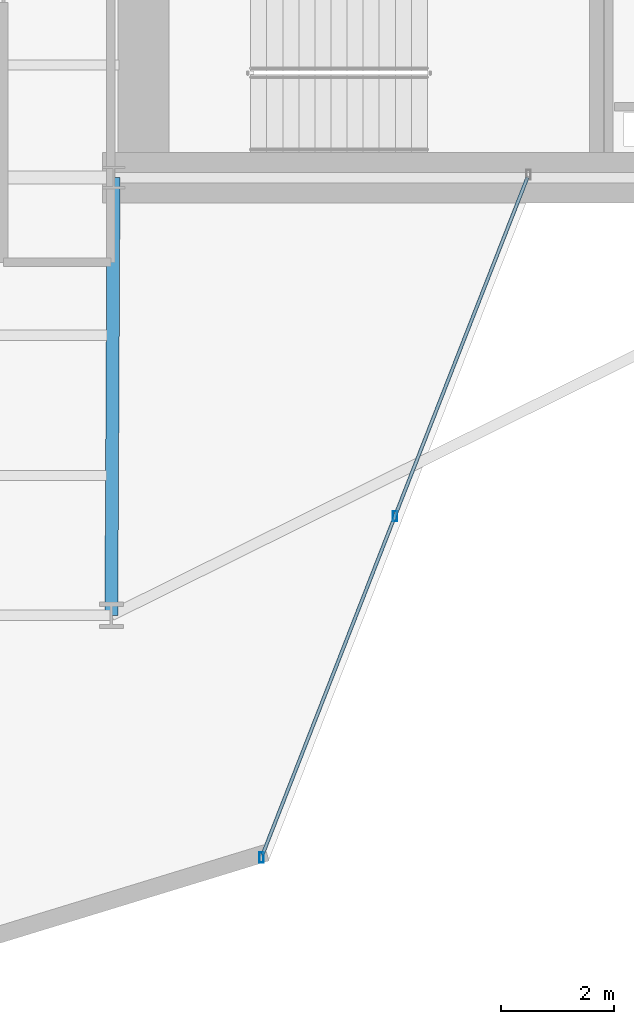
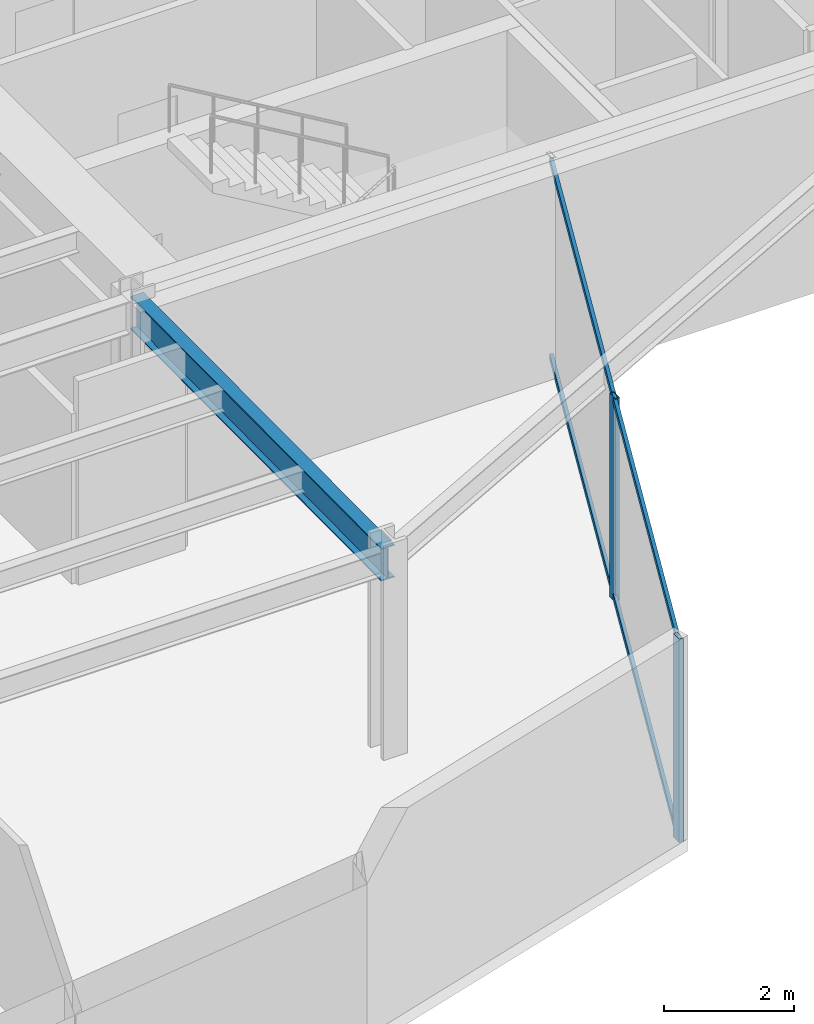
# One storey, part 14 of 30: 4 members, 1 beam, 1 element without a shape of its own.
"""IFC4 building model written with IfcOpenShell, lengths in metres."""

from ifc_helpers import new_model, si_unit, direction, frame, origin, origin_2d, place, context, subcontext, project, spatial, hollow_rectangle, i_section, extrude, material, layer, layer_set, material_profile, profile_set, type_object, element, aggregate, save


model = new_model("IFC4")

# Units and contexts
model_context = context("Model", 3, precision=1e-05, world=origin(), true_north=direction((0.0, 1.0)))
body_context = subcontext(model_context, "Body", "Model", "MODEL_VIEW")
ifc_project = project(units=[si_unit("LENGTHUNIT", "METRE"), si_unit("AREAUNIT", "SQUARE_METRE"), si_unit("VOLUMEUNIT", "CUBIC_METRE"), si_unit("PLANEANGLEUNIT", "RADIAN"), si_unit("MASSUNIT", "GRAM", prefix="KILO")], contexts=[model_context])

# Site, building, storey
site_placement = place(None, origin())
site = spatial("IfcSite", under=ifc_project, at=site_placement, CompositionType="ELEMENT")
building_placement = place(site_placement, origin())
building = spatial("IfcBuilding", under=site, at=building_placement, Name="Veymaron Broadcast Tower", CompositionType="ELEMENT")
storey_placement = place(building_placement, frame((0.0, 0.0, 49.949951171875)))
storey = spatial("IfcBuildingStorey", under=building, at=storey_placement, Name="L10", CompositionType="ELEMENT", Elevation=49.949951171875)

# Beam
ifc_material_1 = material(Name="Structural steel ASTM A992 Gr 50", Category="steel")
ifc_material_profile_1 = material_profile(ifc_material_1, i_section(OverallWidth=0.22998046875, OverallDepth=0.616943359375, WebThickness=0.01318359375, FlangeThickness=0.022216796875, at=origin_2d()), Name="W610X140")
ifc_profile_set_1 = profile_set([ifc_material_profile_1], Name="Structural steel ASTM A992 Gr 50")
beam_type = type_object("IfcBeamType", Name="BM-FG1", PredefinedType="BEAM", material=ifc_profile_set_1)
beam_placement = place(storey_placement, frame((39.0, 16.0, 3.50146484375), z_axis=(-0.00515959783, -0.999986689187, 0.0), x_axis=(0.999986689187, -0.00515959783, 0.0)))
element("IfcBeam", 1, at=beam_placement, inside=storey, type_object=beam_type, Name="L10 primary structural floor girder", PredefinedType="BEAM", context=body_context, shape_type="SweptSolid", body=[
    extrude(i_section(OverallWidth=0.22998046875, OverallDepth=0.616943359375, WebThickness=0.01318359375, FlangeThickness=0.022216796875, at=origin_2d()), origin(), (0.0, 0.0, 1.0), 7.760009765625),
])

# Curtain wall, members
ifc_material_2 = material(Name="Anodised aluminium AA 6063-T6 and laminated low-E dark glass", Category="aluminium")
ifc_layer = layer(ifc_material_2, 0.179931640625)
ifc_layer_set = layer_set([ifc_layer], Name="Anodised aluminium AA 6063-T6 and laminated low-E dark glass")
curtain_wall_type = type_object("IfcCurtainWallType", Name="CW-SYS-02", PredefinedType="NOTDEFINED", material=ifc_layer_set)
curtain_wall_placement = place(storey_placement, origin())
curtain_wall = element("IfcCurtainWall", 2, at=curtain_wall_placement, inside=storey, type_object=curtain_wall_type, Name="L10 dark-glass curtain wall CW-L10-E20-1", PredefinedType="NOTDEFINED")
ifc_material_3 = material(Name="Anodised aluminium AA 6063-T6", Category="aluminium")
ifc_material_profile_2 = material_profile(ifc_material_3, hollow_rectangle(XDim=0.074951171875, YDim=0.179931640625, WallThickness=0.0048828125, at=origin_2d()), Name="AL180X75X5")
ifc_profile_set_2 = profile_set([ifc_material_profile_2], Name="Anodised aluminium AA 6063-T6")
member_type_1 = type_object("IfcMemberType", Name="CW-MUL-02", PredefinedType="MULLION", material=ifc_profile_set_2)
member_1_placement = place(storey_placement, frame((41.6220703125, 3.947021484375, 0.0), z_axis=(0.0, 0.0, 1.0), x_axis=(1.0, 0.0, 0.0)))
member_1 = element("IfcMember", 3, at=member_1_placement, type_object=member_type_1, Name="CW-L10-E20-1 mullion 0", PredefinedType="MULLION", context=body_context, shape_type="SweptSolid", body=[
    extrude(hollow_rectangle(XDim=0.074951171875, YDim=0.179931640625, WallThickness=0.0048828125, at=origin_2d()), origin(), (0.0, 0.0, 1.0), 3.81005859375),
])
member_2_placement = place(storey_placement, frame((43.989501953125, 9.9990234375, 0.0), z_axis=(0.0, 0.0, 1.0), x_axis=(1.0, 0.0, 0.0)))
member_2 = element("IfcMember", 4, at=member_2_placement, type_object=member_type_1, Name="CW-L10-E20-1 mullion 1", PredefinedType="MULLION", context=body_context, shape_type="SweptSolid", body=[
    extrude(hollow_rectangle(XDim=0.074951171875, YDim=0.179931640625, WallThickness=0.0048828125, at=origin_2d()), origin(), (0.0, 0.0, 1.0), 3.81005859375),
])
ifc_material_profile_3 = material_profile(ifc_material_3, hollow_rectangle(XDim=0.06005859375, YDim=0.1201171875, WallThickness=0.00390625, at=origin_2d()), Name="AL120X60X4")
ifc_profile_set_3 = profile_set([ifc_material_profile_3], Name="Anodised aluminium AA 6063-T6")
member_type_2 = type_object("IfcMemberType", Name="CW-TRN-02", PredefinedType="USERDEFINED", material=ifc_profile_set_3)
member_3_placement = place(storey_placement, frame((41.64013671875, 3.99365234375, 0.070068359375), z_axis=(0.364290854908, 0.931285226464, 0.0), x_axis=(-0.931285226464, 0.364290854908, 0.0)))
member_3 = element("IfcMember", 5, at=member_3_placement, type_object=member_type_2, Name="CW-L10-E20-1 transom B", ObjectType="TRANSOM", PredefinedType="USERDEFINED", context=body_context, shape_type="SweptSolid", body=[
    extrude(hollow_rectangle(XDim=0.06005859375, YDim=0.1201171875, WallThickness=0.00390625, at=origin_2d()), origin(), (0.0, 0.0, 1.0), 12.89697265625),
])
member_4_placement = place(storey_placement, frame((41.64013671875, 3.99365234375, 3.739990234375), z_axis=(0.364290854908, 0.931285226464, 0.0), x_axis=(-0.931285226464, 0.364290854908, 0.0)))
member_4 = element("IfcMember", 6, at=member_4_placement, type_object=member_type_2, Name="CW-L10-E20-1 transom T", ObjectType="TRANSOM", PredefinedType="USERDEFINED", context=body_context, shape_type="SweptSolid", body=[
    extrude(hollow_rectangle(XDim=0.06005859375, YDim=0.1201171875, WallThickness=0.00390625, at=origin_2d()), origin(), (0.0, 0.0, 1.0), 12.89697265625),
])
aggregate(curtain_wall, [member_1, member_2, member_3, member_4])

save(model, "model.ifc")
